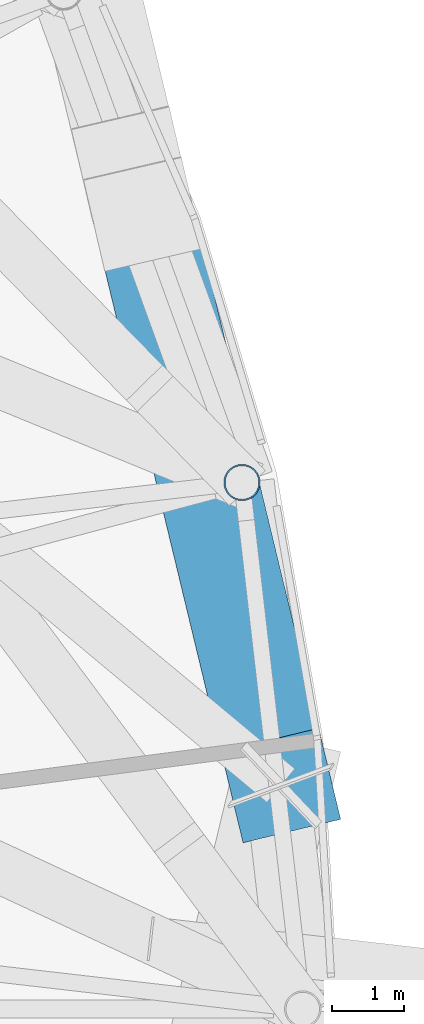
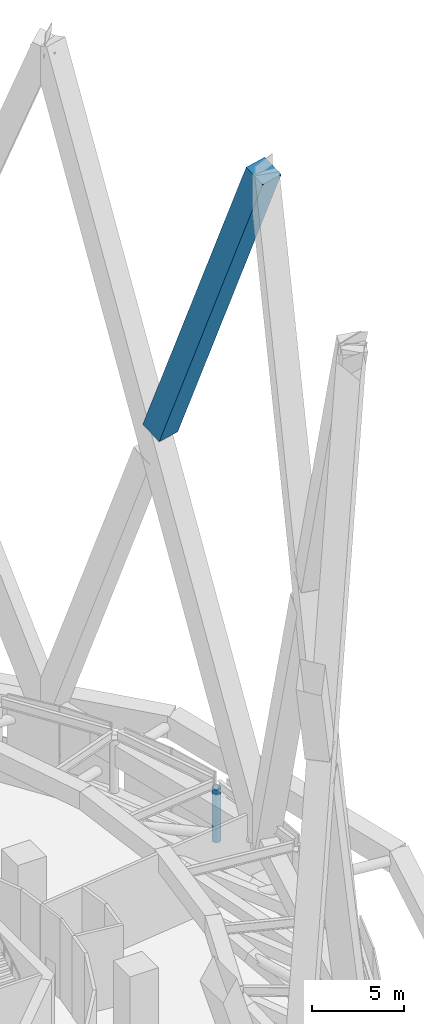
# One storey, part 37 of 60: 2 members.
"""IFC4 building model written with IfcOpenShell, lengths in metres."""

from ifc_helpers import new_model, si_unit, direction, frame, origin, origin_2d, place, context, subcontext, project, spatial, rectangle, hollow_circle, extrude, material, material_profile, profile_set, type_object, element, save


model = new_model("IFC4")

# Units and contexts
model_context = context("Model", 3, precision=1e-05, world=origin(), true_north=direction((0.0, 1.0)))
body_context = subcontext(model_context, "Body", "Model", "MODEL_VIEW")
ifc_project = project(units=[si_unit("LENGTHUNIT", "METRE"), si_unit("AREAUNIT", "SQUARE_METRE"), si_unit("VOLUMEUNIT", "CUBIC_METRE"), si_unit("PLANEANGLEUNIT", "RADIAN"), si_unit("MASSUNIT", "GRAM", prefix="KILO")], contexts=[model_context])

# Site, building, storey
site_placement = place(None, origin())
site = spatial("IfcSite", under=ifc_project, at=site_placement, CompositionType="ELEMENT")
building_placement = place(site_placement, origin())
building = spatial("IfcBuilding", under=site, at=building_placement, Name="Nagisa Residences", CompositionType="ELEMENT")
storey_placement = place(building_placement, frame((0.0, 0.0, 206.60009765625)))
storey = spatial("IfcBuildingStorey", under=building, at=storey_placement, Name="L52", CompositionType="ELEMENT", Elevation=206.60009765625)

# Members
ifc_material_1 = material(Name="Concrete C80", Category="concrete")
ifc_material_profile_1 = material_profile(ifc_material_1, rectangle(XDim=1.39990234375, YDim=1.39990234375, at=origin_2d()), Name="C80 1400x1400")
ifc_profile_set_1 = profile_set([ifc_material_profile_1], Name="Concrete C80")
member_type_1 = type_object("IfcMemberType", Name="Cage diagonal 5 C80 1400x1400", PredefinedType="BRACE", material=ifc_profile_set_1)
member_1_placement = place(storey_placement, frame((26.24853515625, 11.08251953125, 26.90576171875), z_axis=(0.084211999338, -0.349089233341, 0.933297940817), x_axis=(0.972114541375, 0.234506542442, 0.0)))
element("IfcMember", 1, at=member_1_placement, inside=storey, type_object=member_type_1, Name="mem:L52:cg5d002b", PredefinedType="BRACE", context=body_context, shape_type="SweptSolid", body=[
    extrude(rectangle(XDim=1.39990234375, YDim=1.39990234375, at=origin_2d()), origin(), (0.0, 0.0, 1.0), 22.816162109375),
])
ifc_material_2 = material(Name="Steel ASTM A572 Gr 65", Category="steel")
ifc_material_profile_2 = material_profile(ifc_material_2, hollow_circle(Radius=0.25390625, WallThickness=0.02001953125, at=origin_2d()), Name="CHS 508x20")
ifc_profile_set_2 = profile_set([ifc_material_profile_2], Name="Steel ASTM A572 Gr 65")
member_type_2 = type_object("IfcMemberType", Name="Garden edge post CHS 508x20", PredefinedType="POST", material=ifc_profile_set_2)
member_2_placement = place(storey_placement, frame((27.62744140625, 7.343994140625, 1.199951171875), z_axis=(0.0, 0.0, 1.0), x_axis=(1.0, 0.0, 0.0)))
element("IfcMember", 2, at=member_2_placement, inside=storey, type_object=member_type_2, Name="mem:L52:gp402", PredefinedType="POST", context=body_context, shape_type="SweptSolid", body=[
    extrude(hollow_circle(Radius=0.25390625, WallThickness=0.02001953125, at=origin_2d()), origin(), (0.0, 0.0, 1.0), 3.536865234375),
])

save(model, "model.ifc")
